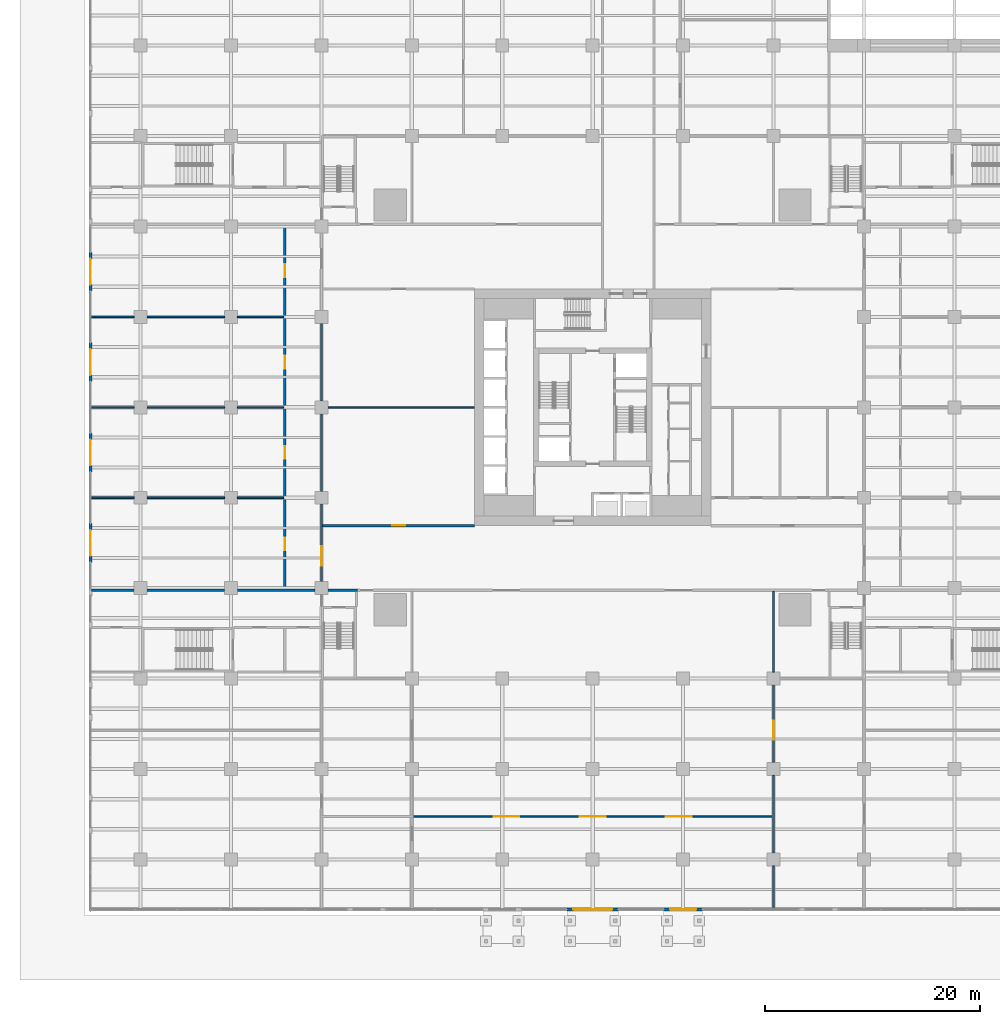
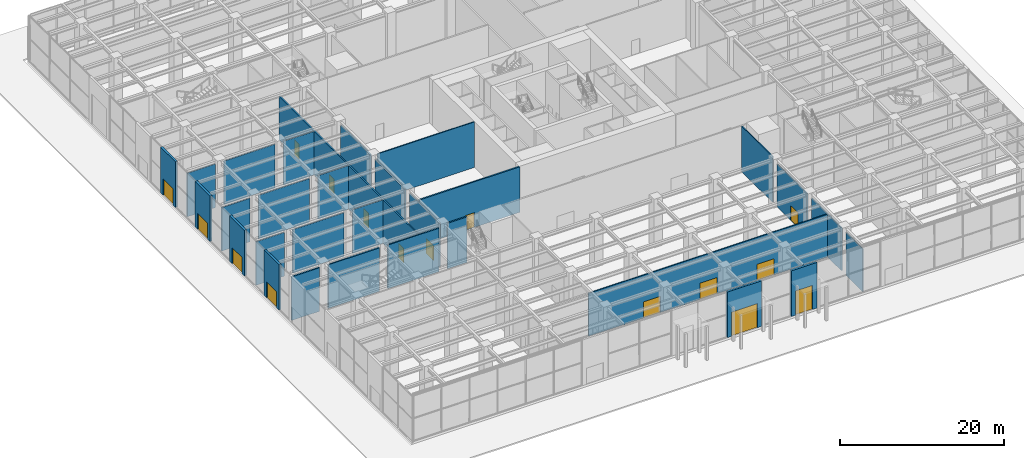
# One storey, part 29 of 43: 30 walls, 16 doors, 16 openings.
"""IFC4 building model written with IfcOpenShell, lengths in metres."""

import ifcopenshell
import ifcopenshell.guid

model = None  # the IFC model being written
_history = None  # IfcOwnerHistory: only IFC2X3 demands one
_inside = {}  # id of a spatial element -> (the spatial element, [elements in it])
_under = {}  # id of a project, library or spatial element -> (it, [spatial elements below it])
_declared = {}  # id of a project -> (the project, [libraries it declares])
_typed = {}  # id of a type object -> (the type object, [elements of that type])
_made_of = {}  # id of a material, layer set ... -> (it, [elements and type objects made of it])


def new_model(schema):
    """Start an empty IFC model of exactly this schema.

    Asked for "IFC4X3", IfcOpenShell would pick the latest addendum, in which some entities
    have other attributes; the version numbers below select the first issue.
    IFC2X3 requires an IfcOwnerHistory on every rooted entity: one is made here for all.
    """
    global model, _history
    if schema == "IFC4X3":
        model = ifcopenshell.file(schema_version=(4, 3, 0, 0))
    else:
        model = ifcopenshell.file(schema=schema)
    _inside.clear()
    _under.clear()
    _declared.clear()
    _typed.clear()
    _made_of.clear()
    _history = None
    if model.schema == "IFC2X3":
        org = make("IfcOrganization", Name="unknown")
        user = make(
            "IfcPersonAndOrganization",
            ThePerson=make("IfcPerson", FamilyName="unknown"),
            TheOrganization=org,
        )
        app = make(
            "IfcApplication",
            ApplicationDeveloper=org,
            Version="unknown",
            ApplicationFullName="unknown",
            ApplicationIdentifier="unknown",
        )
        _history = make(
            "IfcOwnerHistory",
            OwningUser=user,
            OwningApplication=app,
            ChangeAction="ADDED",
            CreationDate=0,
        )
    return model


def make(cls, **values):
    """One entity of the class cls with the attributes given. An attribute that is None is left unset."""
    return model.create_entity(
        cls, **{name: value for name, value in values.items() if value is not None}
    )


def rooted(cls, **values):
    """An entity with a GlobalId (a new one), such as an element, a storey or a relation."""
    return make(cls, GlobalId=ifcopenshell.guid.new(), OwnerHistory=_history, **values)


def si_unit(unit_type, name, prefix=None):
    """IfcSIUnit, for example si_unit("LENGTHUNIT", "METRE", prefix="MILLI")."""
    return make("IfcSIUnit", UnitType=unit_type, Prefix=prefix, Name=name)


def assignment(units):
    """IfcUnitAssignment: the units of a project."""
    return None if units is None else make("IfcUnitAssignment", Units=units)


def point(xyz):
    """IfcCartesianPoint."""
    return None if xyz is None else make("IfcCartesianPoint", Coordinates=xyz)


def direction(xyz):
    """IfcDirection."""
    return None if xyz is None else make("IfcDirection", DirectionRatios=xyz)


def frame(location, z_axis=None, x_axis=None):
    """IfcAxis2Placement3D, a coordinate frame: its origin and axes. An axis left out is left unset."""
    return make(
        "IfcAxis2Placement3D",
        Location=point(location),
        Axis=direction(z_axis),
        RefDirection=direction(x_axis),
    )


def frame_2d(location, x_axis=None):
    """IfcAxis2Placement2D, a coordinate frame in the plane: its origin and x axis."""
    return make(
        "IfcAxis2Placement2D", Location=point(location), RefDirection=direction(x_axis)
    )


def origin():
    """The frame at (0, 0, 0) with its axes left unset."""
    return frame((0.0, 0.0, 0.0))


def place(relative_to, where):
    """IfcLocalPlacement: puts the frame where relative to a parent placement (None: the world)."""
    return make(
        "IfcLocalPlacement", PlacementRelTo=relative_to, RelativePlacement=where
    )


def context(
    kind, dimensions, precision=None, world=None, true_north=None, identifier=None
):
    """IfcGeometricRepresentationContext, for example the 3D "Model" context."""
    return make(
        "IfcGeometricRepresentationContext",
        ContextIdentifier=identifier,
        ContextType=kind,
        CoordinateSpaceDimension=dimensions,
        Precision=precision,
        WorldCoordinateSystem=world,
        TrueNorth=true_north,
    )


def subcontext(parent, identifier, kind, view, scale=None):
    """IfcGeometricRepresentationSubContext, for example "Body" below "Model"."""
    return make(
        "IfcGeometricRepresentationSubContext",
        ContextIdentifier=identifier,
        ContextType=kind,
        ParentContext=parent,
        TargetScale=scale,
        TargetView=view,
    )


def project(units=None, contexts=None):
    """IfcProject with its units and contexts."""
    return rooted(
        "IfcProject",
        Name="project",
        RepresentationContexts=contexts,
        UnitsInContext=assignment(units),
    )


def spatial(cls, under=None, at=None, **own):
    """A site, building, storey or space (cls), placed at a placement, below another one or the project."""
    s = rooted(cls, ObjectPlacement=at, **own)
    if under is not None:
        _under.setdefault(under.id(), (under, []))[1].append(s)
    return s


def profile(cls, at=None, kind="AREA", **sizes):
    """A parametric profile (cls). Its sizes go by their IFC names, for example OverallWidth=200.0."""
    return make(cls, ProfileType=kind, Position=at, **sizes)


def rectangle(**sizes):
    """IfcRectangleProfileDef."""
    return profile("IfcRectangleProfileDef", **sizes)


def extrude(swept, where, along, depth):
    """IfcExtrudedAreaSolid: the profile swept, set in the frame where, extruded along a direction by depth."""
    return make(
        "IfcExtrudedAreaSolid",
        SweptArea=swept,
        Position=where,
        ExtrudedDirection=direction(along),
        Depth=depth,
    )


def shape(context_of_items, identifier, shape_type, items):
    """IfcShapeRepresentation: the items that make up one representation, for example the "Body"."""
    return make(
        "IfcShapeRepresentation",
        ContextOfItems=context_of_items,
        RepresentationIdentifier=identifier,
        RepresentationType=shape_type,
        Items=items,
    )


def material(Name=None, Category=None):
    """IfcMaterial."""
    return make("IfcMaterial", Name=Name, Category=Category)


def layer(
    of_material, thickness, ventilated=None, Name=None, Category=None, Priority=None
):
    """IfcMaterialLayer: one layer of a wall or slab, of a material (None: an air gap)."""
    return make(
        "IfcMaterialLayer",
        Material=of_material,
        LayerThickness=thickness,
        IsVentilated=ventilated,
        Name=Name,
        Category=Category,
        Priority=Priority,
    )


def layer_set(layers, Name=None):
    """IfcMaterialLayerSet."""
    return make("IfcMaterialLayerSet", MaterialLayers=layers, LayerSetName=Name)


def made_of(thing, what):
    """Note that an element or type object is made of a material, layer set ...; save() writes the relation."""
    if what is not None:
        _made_of.setdefault(what.id(), (what, []))[1].append(thing)
    return thing


def type_object(cls, material=None, **own):
    """A type object (cls), such as IfcWallType, which elements share."""
    return made_of(rooted(cls, **own), material)


def element(
    cls,
    number,
    at=None,
    inside=None,
    cuts=None,
    type_object=None,
    material=None,
    context=None,
    identifier="Body",
    shape_type=None,
    held_by="IfcProductDefinitionShape",
    body=None,
    shapes=None,
    **own,
):
    """One element of the class cls, such as IfcWall. Its Tag is "e" and its number.

    at: its placement. inside: the storey or other place that contains it. cuts: it is an
    opening in that element (IfcRelVoidsElement). A single representation is given by context,
    identifier, shape_type and body (its items); several are given by shapes. held_by: the class
    of the entity that holds the representations. save() writes the other relations.
    """
    e = rooted(cls, Tag="e%d" % number, ObjectPlacement=at, **own)
    if body is not None:
        shapes = [shape(context, identifier, shape_type, body)]
    if shapes is not None:
        e.Representation = make(held_by, Representations=shapes)
    if inside is not None:
        _inside.setdefault(inside.id(), (inside, []))[1].append(e)
    if cuts is not None:
        rooted(
            "IfcRelVoidsElement", RelatingBuildingElement=cuts, RelatedOpeningElement=e
        )
    if type_object is not None:
        _typed.setdefault(type_object.id(), (type_object, []))[1].append(e)
    return made_of(e, material)


def fill(opening, filler):
    """IfcRelFillsElement: the door or window that sits in an opening."""
    return rooted(
        "IfcRelFillsElement",
        RelatingOpeningElement=opening,
        RelatedBuildingElement=filler,
    )


def aggregate(whole, parts):
    """IfcRelAggregates: a whole, such as a stair, and the parts it consists of."""
    return rooted("IfcRelAggregates", RelatingObject=whole, RelatedObjects=parts)


def save(model, path):
    """Write the relations noted so far, then the file.

    IfcRelAggregates (storeys below a building ...), IfcRelContainedInSpatialStructure (elements
    in a storey), IfcRelDefinesByType, IfcRelAssociatesMaterial and IfcRelDeclares: one each for
    every whole, place, type object, material and project.
    """
    for whole, parts in _under.values():
        aggregate(whole, parts)
    for where, things in _inside.values():
        rooted(
            "IfcRelContainedInSpatialStructure",
            RelatedElements=things,
            RelatingStructure=where,
        )
    for kind, things in _typed.values():
        rooted("IfcRelDefinesByType", RelatedObjects=things, RelatingType=kind)
    for what, things in _made_of.values():
        rooted("IfcRelAssociatesMaterial", RelatedObjects=things, RelatingMaterial=what)
    for by, libraries in _declared.values():
        rooted("IfcRelDeclares", RelatingContext=by, RelatedDefinitions=libraries)
    model.write(path)


model = new_model("IFC4")

# Units and contexts
model_context = context("Model", 3, precision=1e-05, world=origin(), true_north=direction((0.0, 1.0)))
body_context = subcontext(model_context, "Body", "Model", "MODEL_VIEW")
ifc_project = project(units=[si_unit("LENGTHUNIT", "METRE"), si_unit("AREAUNIT", "SQUARE_METRE"), si_unit("VOLUMEUNIT", "CUBIC_METRE"), si_unit("PLANEANGLEUNIT", "RADIAN"), si_unit("MASSUNIT", "GRAM", prefix="KILO")], contexts=[model_context])

# Site, building, storey
site_placement = place(None, origin())
site = spatial("IfcSite", under=ifc_project, at=site_placement, CompositionType="ELEMENT")
building_placement = place(site_placement, origin())
building = spatial("IfcBuilding", under=site, at=building_placement, Name="Khepri Terraces", CompositionType="ELEMENT")
storey_placement = place(building_placement, origin())
storey = spatial("IfcBuildingStorey", under=building, at=storey_placement, Name="L00", CompositionType="ELEMENT", Elevation=0.0)

# Wall, opening, door
ifc_material_1 = material(Name="Precast concrete C50/60 warm stone", Category="masonry")
ifc_layer_1 = layer(ifc_material_1, 0.300048828125, Name="Precast concrete C50/60 warm stone", Category="masonry")
ifc_layer_set_1 = layer_set([ifc_layer_1], Name="Precast concrete C50/60 warm stone")
wall_type_1 = type_object("IfcWallType", Name="WL-EXT-PRECAST-300", PredefinedType="STANDARD", material=ifc_layer_set_1)
wall_1_placement = place(storey_placement, frame((-46.64990234375, 14.39990234375, 0.0), z_axis=(0.0, 0.0, 1.0), x_axis=(0.0, -1.0, 0.0)))
wall_1 = element("IfcWall", 1, at=wall_1_placement, inside=storey, type_object=wall_type_1, Name="External wall L00 W", PredefinedType="STANDARD", context=body_context, shape_type="SweptSolid", body=[
    extrude(rectangle(XDim=3.599853515625, YDim=0.300048828125, at=frame_2d((1.7998046875, 0.0))), origin(), (0.0, 0.0, 1.0), 6.780029296875),
])
opening_1_placement = place(wall_1_placement, frame((0.60009765625, 0.0, 0.0)))
opening_1 = element("IfcOpeningElement", 2, at=opening_1_placement, cuts=wall_1, Name="Opening ED-L00-19", PredefinedType="OPENING", context=body_context, shape_type="SweptSolid", body=[
    extrude(rectangle(XDim=2.39990234375, YDim=2.39990234375, at=frame_2d((1.199951171875, 1.199951171875))), frame((0.0, 0.16015625, 0.0), z_axis=(0.0, -1.0, 0.0), x_axis=(1.0, 0.0, 0.0)), (0.0, 0.0, 1.0), 0.320068359375),
])
ifc_material_2 = material(Name="Anodised aluminium bronze glazed door", Category="aluminium")
door_type_1 = type_object("IfcDoorType", Name="DR-SHOP-2400x2400", OperationType="NOTDEFINED", PredefinedType="DOOR", material=ifc_material_2)
door_1_placement = place(opening_1_placement, frame((2.39990234375, 0.0, 0.0), z_axis=(0.0, 0.0, 1.0), x_axis=(-1.0, 0.0, 0.0)))
door_1 = element("IfcDoor", 3, at=door_1_placement, inside=storey, type_object=door_type_1, Name="Retail door L00 W", OperationType="DOUBLE_DOOR_SINGLE_SWING", OverallHeight=2.39990234375, OverallWidth=2.39990234375, PredefinedType="DOOR", context=body_context, shape_type="SweptSolid", body=[
    extrude(rectangle(XDim=2.39990234375, YDim=2.39990234375, at=frame_2d((1.199951171875, 1.199951171875))), frame((0.0, 0.02490234375, 0.0), z_axis=(0.0, -1.0, 0.0), x_axis=(1.0, 0.0, 0.0)), (0.0, 0.0, 1.0), 0.050048828125),
])
fill(opening_1, door_1)

wall_2_placement = place(storey_placement, frame((-46.64990234375, 6.0, 0.0), z_axis=(0.0, 0.0, 1.0), x_axis=(0.0, -1.0, 0.0)))
wall_2 = element("IfcWall", 4, at=wall_2_placement, inside=storey, type_object=wall_type_1, Name="External wall L00 W", PredefinedType="STANDARD", context=body_context, shape_type="SweptSolid", body=[
    extrude(rectangle(XDim=3.60009765625, YDim=0.300048828125, at=frame_2d((1.800048828125, 0.0))), origin(), (0.0, 0.0, 1.0), 6.780029296875),
])
opening_2_placement = place(wall_2_placement, frame((0.60009765625, 0.0, 0.0)))
opening_2 = element("IfcOpeningElement", 5, at=opening_2_placement, cuts=wall_2, Name="Opening ED-L00-20", PredefinedType="OPENING", context=body_context, shape_type="SweptSolid", body=[
    extrude(rectangle(XDim=2.39990234375, YDim=2.39990234375, at=frame_2d((1.199951171875, 1.199951171875))), frame((0.0, 0.16015625, 0.0), z_axis=(0.0, -1.0, 0.0), x_axis=(1.0, 0.0, 0.0)), (0.0, 0.0, 1.0), 0.320068359375),
])
door_2_placement = place(opening_2_placement, frame((2.39990234375, 0.0, 0.0), z_axis=(0.0, 0.0, 1.0), x_axis=(-1.0, 0.0, 0.0)))
door_2 = element("IfcDoor", 6, at=door_2_placement, inside=storey, type_object=door_type_1, Name="Retail door L00 W", OperationType="DOUBLE_DOOR_SINGLE_SWING", OverallHeight=2.39990234375, OverallWidth=2.39990234375, PredefinedType="DOOR", context=body_context, shape_type="SweptSolid", body=[
    extrude(rectangle(XDim=2.39990234375, YDim=2.39990234375, at=frame_2d((1.199951171875, 1.199951171875))), frame((0.0, 0.02490234375, 0.0), z_axis=(0.0, -1.0, 0.0), x_axis=(1.0, 0.0, 0.0)), (0.0, 0.0, 1.0), 0.050048828125),
])
fill(opening_2, door_2)

wall_3_placement = place(storey_placement, frame((-46.64990234375, -2.39990234375, 0.0), z_axis=(0.0, 0.0, 1.0), x_axis=(0.0, -1.0, 0.0)))
wall_3 = element("IfcWall", 7, at=wall_3_placement, inside=storey, type_object=wall_type_1, Name="External wall L00 W", PredefinedType="STANDARD", context=body_context, shape_type="SweptSolid", body=[
    extrude(rectangle(XDim=3.60009765625, YDim=0.300048828125, at=frame_2d((1.800048828125, 0.0))), origin(), (0.0, 0.0, 1.0), 6.780029296875),
])
opening_3_placement = place(wall_3_placement, frame((0.60009765625, 0.0, 0.0)))
opening_3 = element("IfcOpeningElement", 8, at=opening_3_placement, cuts=wall_3, Name="Opening ED-L00-21", PredefinedType="OPENING", context=body_context, shape_type="SweptSolid", body=[
    extrude(rectangle(XDim=2.39990234375, YDim=2.39990234375, at=frame_2d((1.199951171875, 1.199951171875))), frame((0.0, 0.16015625, 0.0), z_axis=(0.0, -1.0, 0.0), x_axis=(1.0, 0.0, 0.0)), (0.0, 0.0, 1.0), 0.320068359375),
])
door_3_placement = place(opening_3_placement, frame((2.39990234375, 0.0, 0.0), z_axis=(0.0, 0.0, 1.0), x_axis=(-1.0, 0.0, 0.0)))
door_3 = element("IfcDoor", 9, at=door_3_placement, inside=storey, type_object=door_type_1, Name="Retail door L00 W", OperationType="DOUBLE_DOOR_SINGLE_SWING", OverallHeight=2.39990234375, OverallWidth=2.39990234375, PredefinedType="DOOR", context=body_context, shape_type="SweptSolid", body=[
    extrude(rectangle(XDim=2.39990234375, YDim=2.39990234375, at=frame_2d((1.199951171875, 1.199951171875))), frame((0.0, 0.02490234375, 0.0), z_axis=(0.0, -1.0, 0.0), x_axis=(1.0, 0.0, 0.0)), (0.0, 0.0, 1.0), 0.050048828125),
])
fill(opening_3, door_3)

wall_4_placement = place(storey_placement, frame((-46.64990234375, -10.800048828125, 0.0), z_axis=(0.0, 0.0, 1.0), x_axis=(0.0, -1.0, 0.0)))
wall_4 = element("IfcWall", 10, at=wall_4_placement, inside=storey, type_object=wall_type_1, Name="External wall L00 W", PredefinedType="STANDARD", context=body_context, shape_type="SweptSolid", body=[
    extrude(rectangle(XDim=3.599853515625, YDim=0.300048828125, at=frame_2d((1.7998046875, 0.0))), origin(), (0.0, 0.0, 1.0), 6.780029296875),
])
opening_4_placement = place(wall_4_placement, frame((0.60009765625, 0.0, 0.0)))
opening_4 = element("IfcOpeningElement", 11, at=opening_4_placement, cuts=wall_4, Name="Opening ED-L00-22", PredefinedType="OPENING", context=body_context, shape_type="SweptSolid", body=[
    extrude(rectangle(XDim=2.39990234375, YDim=2.39990234375, at=frame_2d((1.199951171875, 1.199951171875))), frame((0.0, 0.16015625, 0.0), z_axis=(0.0, -1.0, 0.0), x_axis=(1.0, 0.0, 0.0)), (0.0, 0.0, 1.0), 0.320068359375),
])
door_4_placement = place(opening_4_placement, frame((2.39990234375, 0.0, 0.0), z_axis=(0.0, 0.0, 1.0), x_axis=(-1.0, 0.0, 0.0)))
door_4 = element("IfcDoor", 12, at=door_4_placement, inside=storey, type_object=door_type_1, Name="Retail door L00 W", OperationType="DOUBLE_DOOR_SINGLE_SWING", OverallHeight=2.39990234375, OverallWidth=2.39990234375, PredefinedType="DOOR", context=body_context, shape_type="SweptSolid", body=[
    extrude(rectangle(XDim=2.39990234375, YDim=2.39990234375, at=frame_2d((1.199951171875, 1.199951171875))), frame((0.0, 0.02490234375, 0.0), z_axis=(0.0, -1.0, 0.0), x_axis=(1.0, 0.0, 0.0)), (0.0, 0.0, 1.0), 0.050048828125),
])
fill(opening_4, door_4)

wall_5_placement = place(storey_placement, frame((-2.39990234375, -46.64990234375, 0.0), z_axis=(0.0, 0.0, 1.0), x_axis=(1.0, 0.0, 0.0)))
wall_5 = element("IfcWall", 13, at=wall_5_placement, inside=storey, type_object=wall_type_1, Name="External wall L00 S", PredefinedType="STANDARD", context=body_context, shape_type="SweptSolid", body=[
    extrude(rectangle(XDim=4.7998046875, YDim=0.300048828125, at=frame_2d((2.39990234375, 0.0))), origin(), (0.0, 0.0, 1.0), 6.780029296875),
])
opening_5_placement = place(wall_5_placement, frame((0.60009765625, 0.0, 0.0)))
opening_5 = element("IfcOpeningElement", 14, at=opening_5_placement, cuts=wall_5, Name="Opening ED-L00-28", PredefinedType="OPENING", context=body_context, shape_type="SweptSolid", body=[
    extrude(rectangle(XDim=3.60009765625, YDim=3.60009765625, at=frame_2d((1.800048828125, 1.800048828125))), frame((0.0, 0.16015625, 0.0), z_axis=(0.0, -1.0, 0.0), x_axis=(1.0, 0.0, 0.0)), (0.0, 0.0, 1.0), 0.320068359375),
])
door_type_2 = type_object("IfcDoorType", Name="DR-MAIN-3600x3600", OperationType="NOTDEFINED", PredefinedType="DOOR", material=ifc_material_2)
door_5_placement = place(opening_5_placement, frame((3.60009765625, 0.0, 0.0), z_axis=(0.0, 0.0, 1.0), x_axis=(-1.0, 0.0, 0.0)))
door_5 = element("IfcDoor", 15, at=door_5_placement, inside=storey, type_object=door_type_2, Name="Main door L00 S", OperationType="DOUBLE_DOOR_SINGLE_SWING", OverallHeight=3.60009765625, OverallWidth=3.60009765625, PredefinedType="DOOR", context=body_context, shape_type="SweptSolid", body=[
    extrude(rectangle(XDim=3.60009765625, YDim=3.60009765625, at=frame_2d((1.800048828125, 1.800048828125))), frame((0.0, 0.02490234375, 0.0), z_axis=(0.0, -1.0, 0.0), x_axis=(1.0, 0.0, 0.0)), (0.0, 0.0, 1.0), 0.050048828125),
])
fill(opening_5, door_5)

wall_6_placement = place(storey_placement, frame((6.60009765625, -46.64990234375, 0.0), z_axis=(0.0, 0.0, 1.0), x_axis=(1.0, 0.0, 0.0)))
wall_6 = element("IfcWall", 16, at=wall_6_placement, inside=storey, type_object=wall_type_1, Name="External wall L00 S", PredefinedType="STANDARD", context=body_context, shape_type="SweptSolid", body=[
    extrude(rectangle(XDim=3.599853515625, YDim=0.300048828125, at=frame_2d((1.7998046875, 0.0))), origin(), (0.0, 0.0, 1.0), 6.780029296875),
])
opening_6_placement = place(wall_6_placement, frame((0.60009765625, 0.0, 0.0)))
opening_6 = element("IfcOpeningElement", 17, at=opening_6_placement, cuts=wall_6, Name="Opening ED-L00-29", PredefinedType="OPENING", context=body_context, shape_type="SweptSolid", body=[
    extrude(rectangle(XDim=2.39990234375, YDim=3.60009765625, at=frame_2d((1.199951171875, 1.800048828125))), frame((0.0, 0.16015625, 0.0), z_axis=(0.0, -1.0, 0.0), x_axis=(1.0, 0.0, 0.0)), (0.0, 0.0, 1.0), 0.320068359375),
])
door_type_3 = type_object("IfcDoorType", Name="DR-MAIN-2400x3600", OperationType="NOTDEFINED", PredefinedType="DOOR", material=ifc_material_2)
door_6_placement = place(opening_6_placement, frame((2.39990234375, 0.0, 0.0), z_axis=(0.0, 0.0, 1.0), x_axis=(-1.0, 0.0, 0.0)))
door_6 = element("IfcDoor", 18, at=door_6_placement, inside=storey, type_object=door_type_3, Name="Main door L00 S", OperationType="DOUBLE_DOOR_SINGLE_SWING", OverallHeight=3.60009765625, OverallWidth=2.39990234375, PredefinedType="DOOR", context=body_context, shape_type="SweptSolid", body=[
    extrude(rectangle(XDim=2.39990234375, YDim=3.60009765625, at=frame_2d((1.199951171875, 1.800048828125))), frame((0.0, 0.02490234375, 0.0), z_axis=(0.0, -1.0, 0.0), x_axis=(1.0, 0.0, 0.0)), (0.0, 0.0, 1.0), 0.050048828125),
])
fill(opening_6, door_6)

# Wall, openings, doors
ifc_material_3 = material(Name="Gypsum board partition")
ifc_layer_2 = layer(ifc_material_3, 0.14990234375, Name="Gypsum board partition")
ifc_layer_set_2 = layer_set([ifc_layer_2], Name="Gypsum board partition")
wall_type_2 = type_object("IfcWallType", Name="WL-POD-150", PredefinedType="PARTITIONING", material=ifc_layer_set_2)
wall_7_placement = place(storey_placement, frame((-16.89990234375, -38.0, 0.0), z_axis=(0.0, 0.0, 1.0), x_axis=(1.0, 0.0, 0.0)))
wall_7 = element("IfcWall", 19, at=wall_7_placement, inside=storey, type_object=wall_type_2, Name="Partition L00-PW002", PredefinedType="PARTITIONING", context=body_context, shape_type="SweptSolid", body=[
    extrude(rectangle(XDim=33.625, YDim=0.14990234375, at=frame_2d((16.8125, 0.0))), origin(), (0.0, 0.0, 1.0), 6.3798828125),
])
opening_7_placement = place(wall_7_placement, frame((7.699951171875, 0.0, 0.0)))
opening_7 = element("IfcOpeningElement", 20, at=opening_7_placement, cuts=wall_7, Name="Opening L00-P02", PredefinedType="OPENING", context=body_context, shape_type="SweptSolid", body=[
    extrude(rectangle(XDim=2.39990234375, YDim=2.39990234375, at=frame_2d((1.199951171875, 1.199951171875))), frame((0.0, 0.0849609375, 0.0), z_axis=(0.0, -1.0, 0.0), x_axis=(1.0, 0.0, 0.0)), (0.0, 0.0, 1.0), 0.169921875),
])
opening_8_placement = place(wall_7_placement, frame((15.699951171875, 0.0, 0.0)))
opening_8 = element("IfcOpeningElement", 21, at=opening_8_placement, cuts=wall_7, Name="Opening L00-P03", PredefinedType="OPENING", context=body_context, shape_type="SweptSolid", body=[
    extrude(rectangle(XDim=2.39990234375, YDim=2.39990234375, at=frame_2d((1.199951171875, 1.199951171875))), frame((0.0, 0.0849609375, 0.0), z_axis=(0.0, -1.0, 0.0), x_axis=(1.0, 0.0, 0.0)), (0.0, 0.0, 1.0), 0.169921875),
])
opening_9_placement = place(wall_7_placement, frame((23.699951171875, 0.0, 0.0)))
opening_9 = element("IfcOpeningElement", 22, at=opening_9_placement, cuts=wall_7, Name="Opening L00-P04", PredefinedType="OPENING", context=body_context, shape_type="SweptSolid", body=[
    extrude(rectangle(XDim=2.39990234375, YDim=2.39990234375, at=frame_2d((1.199951171875, 1.199951171875))), frame((0.0, 0.0849609375, 0.0), z_axis=(0.0, -1.0, 0.0), x_axis=(1.0, 0.0, 0.0)), (0.0, 0.0, 1.0), 0.169921875),
])
ifc_material_4 = material(Name="Timber veneer", Category="wood")
door_type_4 = type_object("IfcDoorType", Name="DR-POD-PAIR-2400", OperationType="DOUBLE_DOOR_SINGLE_SWING", PredefinedType="DOOR", material=ifc_material_4)
door_7_placement = place(opening_7_placement, origin())
door_7 = element("IfcDoor", 23, at=door_7_placement, inside=storey, type_object=door_type_4, Name="Double door L00-P02", OperationType="DOUBLE_DOOR_SINGLE_SWING", OverallHeight=2.39990234375, OverallWidth=2.39990234375, PredefinedType="DOOR", context=body_context, shape_type="SweptSolid", body=[
    extrude(rectangle(XDim=2.39990234375, YDim=2.39990234375, at=frame_2d((1.199951171875, 1.199951171875))), frame((0.0, 0.02490234375, 0.0), z_axis=(0.0, -1.0, 0.0), x_axis=(1.0, 0.0, 0.0)), (0.0, 0.0, 1.0), 0.050048828125),
])
fill(opening_7, door_7)
door_8_placement = place(opening_8_placement, origin())
door_8 = element("IfcDoor", 24, at=door_8_placement, inside=storey, type_object=door_type_4, Name="Double door L00-P03", OperationType="DOUBLE_DOOR_SINGLE_SWING", OverallHeight=2.39990234375, OverallWidth=2.39990234375, PredefinedType="DOOR", context=body_context, shape_type="SweptSolid", body=[
    extrude(rectangle(XDim=2.39990234375, YDim=2.39990234375, at=frame_2d((1.199951171875, 1.199951171875))), frame((0.0, 0.02490234375, 0.0), z_axis=(0.0, -1.0, 0.0), x_axis=(1.0, 0.0, 0.0)), (0.0, 0.0, 1.0), 0.050048828125),
])
fill(opening_8, door_8)
door_9_placement = place(opening_9_placement, origin())
door_9 = element("IfcDoor", 25, at=door_9_placement, inside=storey, type_object=door_type_4, Name="Double door L00-P04", OperationType="DOUBLE_DOOR_SINGLE_SWING", OverallHeight=2.39990234375, OverallWidth=2.39990234375, PredefinedType="DOOR", context=body_context, shape_type="SweptSolid", body=[
    extrude(rectangle(XDim=2.39990234375, YDim=2.39990234375, at=frame_2d((1.199951171875, 1.199951171875))), frame((0.0, 0.02490234375, 0.0), z_axis=(0.0, -1.0, 0.0), x_axis=(1.0, 0.0, 0.0)), (0.0, 0.0, 1.0), 0.050048828125),
])
fill(opening_9, door_9)

# Walls
wall_8_placement = place(storey_placement, frame((-46.550048828125, -8.39990234375, 0.0), z_axis=(0.0, 0.0, 1.0), x_axis=(1.0, 0.0, 0.0)))
element("IfcWall", 26, at=wall_8_placement, inside=storey, type_object=wall_type_2, Name="Partition L00-PW030", PredefinedType="PARTITIONING", context=body_context, shape_type="SweptSolid", body=[
    extrude(rectangle(XDim=3.949951171875, YDim=0.14990234375, at=frame_2d((1.97509765625, 0.0))), origin(), (0.0, 0.0, 1.0), 6.47998046875),
])
wall_9_placement = place(storey_placement, frame((-41.39990234375, -8.39990234375, 0.0), z_axis=(0.0, 0.0, 1.0), x_axis=(1.0, 0.0, 0.0)))
element("IfcWall", 27, at=wall_9_placement, inside=storey, type_object=wall_type_2, Name="Partition L00-PW031", PredefinedType="PARTITIONING", context=body_context, shape_type="SweptSolid", body=[
    extrude(rectangle(XDim=7.199951171875, YDim=0.14990234375, at=frame_2d((3.60009765625, 0.0))), origin(), (0.0, 0.0, 1.0), 6.47998046875),
])
wall_10_placement = place(storey_placement, frame((-33.0, -8.39990234375, 0.0), z_axis=(0.0, 0.0, 1.0), x_axis=(1.0, 0.0, 0.0)))
element("IfcWall", 28, at=wall_10_placement, inside=storey, type_object=wall_type_2, Name="Partition L00-PW032", PredefinedType="PARTITIONING", context=body_context, shape_type="SweptSolid", body=[
    extrude(rectangle(XDim=4.300048828125, YDim=0.14990234375, at=frame_2d((2.14990234375, 0.0))), origin(), (0.0, 0.0, 1.0), 6.47998046875),
])
wall_11_placement = place(storey_placement, frame((-46.550048828125, 0.0, 0.0), z_axis=(0.0, 0.0, 1.0), x_axis=(1.0, 0.0, 0.0)))
element("IfcWall", 29, at=wall_11_placement, inside=storey, type_object=wall_type_2, Name="Partition L00-PW037", PredefinedType="PARTITIONING", context=body_context, shape_type="SweptSolid", body=[
    extrude(rectangle(XDim=3.949951171875, YDim=0.14990234375, at=frame_2d((1.97509765625, 0.0))), origin(), (0.0, 0.0, 1.0), 6.47998046875),
])
wall_12_placement = place(storey_placement, frame((-41.39990234375, 0.0, 0.0), z_axis=(0.0, 0.0, 1.0), x_axis=(1.0, 0.0, 0.0)))
element("IfcWall", 30, at=wall_12_placement, inside=storey, type_object=wall_type_2, Name="Partition L00-PW038", PredefinedType="PARTITIONING", context=body_context, shape_type="SweptSolid", body=[
    extrude(rectangle(XDim=7.199951171875, YDim=0.14990234375, at=frame_2d((3.60009765625, 0.0))), origin(), (0.0, 0.0, 1.0), 6.47998046875),
])
wall_13_placement = place(storey_placement, frame((-33.0, 0.0, 0.0), z_axis=(0.0, 0.0, 1.0), x_axis=(1.0, 0.0, 0.0)))
element("IfcWall", 31, at=wall_13_placement, inside=storey, type_object=wall_type_2, Name="Partition L00-PW039", PredefinedType="PARTITIONING", context=body_context, shape_type="SweptSolid", body=[
    extrude(rectangle(XDim=4.300048828125, YDim=0.14990234375, at=frame_2d((2.14990234375, 0.0))), origin(), (0.0, 0.0, 1.0), 6.47998046875),
])
wall_14_placement = place(storey_placement, frame((-24.60009765625, 0.0, 0.0), z_axis=(0.0, 0.0, 1.0), x_axis=(1.0, 0.0, 0.0)))
element("IfcWall", 32, at=wall_14_placement, inside=storey, type_object=wall_type_2, Name="Partition L00-PW040", PredefinedType="PARTITIONING", context=body_context, shape_type="SweptSolid", body=[
    extrude(rectangle(XDim=13.60009765625, YDim=0.14990234375, at=frame_2d((6.800048828125, 0.0))), origin(), (0.0, 0.0, 1.0), 6.780029296875),
])
wall_15_placement = place(storey_placement, frame((-46.550048828125, 8.39990234375, 0.0), z_axis=(0.0, 0.0, 1.0), x_axis=(1.0, 0.0, 0.0)))
element("IfcWall", 33, at=wall_15_placement, inside=storey, type_object=wall_type_2, Name="Partition L00-PW045", PredefinedType="PARTITIONING", context=body_context, shape_type="SweptSolid", body=[
    extrude(rectangle(XDim=3.949951171875, YDim=0.14990234375, at=frame_2d((1.97509765625, 0.0))), origin(), (0.0, 0.0, 1.0), 6.47998046875),
])
wall_16_placement = place(storey_placement, frame((-41.39990234375, 8.39990234375, 0.0), z_axis=(0.0, 0.0, 1.0), x_axis=(1.0, 0.0, 0.0)))
element("IfcWall", 34, at=wall_16_placement, inside=storey, type_object=wall_type_2, Name="Partition L00-PW046", PredefinedType="PARTITIONING", context=body_context, shape_type="SweptSolid", body=[
    extrude(rectangle(XDim=7.199951171875, YDim=0.14990234375, at=frame_2d((3.60009765625, 0.0))), origin(), (0.0, 0.0, 1.0), 6.47998046875),
])
wall_17_placement = place(storey_placement, frame((-33.0, 8.39990234375, 0.0), z_axis=(0.0, 0.0, 1.0), x_axis=(1.0, 0.0, 0.0)))
element("IfcWall", 35, at=wall_17_placement, inside=storey, type_object=wall_type_2, Name="Partition L00-PW047", PredefinedType="PARTITIONING", context=body_context, shape_type="SweptSolid", body=[
    extrude(rectangle(XDim=4.300048828125, YDim=0.14990234375, at=frame_2d((2.14990234375, 0.0))), origin(), (0.0, 0.0, 1.0), 6.47998046875),
])
wall_18_placement = place(storey_placement, frame((16.800048828125, -46.550048828125, 0.0), z_axis=(0.0, 0.0, 1.0), x_axis=(0.0, 1.0, 0.0)))
element("IfcWall", 36, at=wall_18_placement, inside=storey, type_object=wall_type_2, Name="Partition L00-PW119", PredefinedType="PARTITIONING", context=body_context, shape_type="SweptSolid", body=[
    extrude(rectangle(XDim=3.949951171875, YDim=0.14990234375, at=frame_2d((1.97509765625, 0.0))), origin(), (0.0, 0.0, 1.0), 6.3798828125),
])
wall_19_placement = place(storey_placement, frame((16.800048828125, -41.39990234375, 0.0), z_axis=(0.0, 0.0, 1.0), x_axis=(0.0, 1.0, 0.0)))
element("IfcWall", 37, at=wall_19_placement, inside=storey, type_object=wall_type_2, Name="Partition L00-PW120", PredefinedType="PARTITIONING", context=body_context, shape_type="SweptSolid", body=[
    extrude(rectangle(XDim=7.199951171875, YDim=0.14990234375, at=frame_2d((3.60009765625, 0.0))), origin(), (0.0, 0.0, 1.0), 6.3798828125),
])

# Wall, opening, door
wall_20_placement = place(storey_placement, frame((16.800048828125, -33.0, 0.0), z_axis=(0.0, 0.0, 1.0), x_axis=(0.0, 1.0, 0.0)))
wall_20 = element("IfcWall", 38, at=wall_20_placement, inside=storey, type_object=wall_type_2, Name="Partition L00-PW121", PredefinedType="PARTITIONING", context=body_context, shape_type="SweptSolid", body=[
    extrude(rectangle(XDim=7.199951171875, YDim=0.14990234375, at=frame_2d((3.60009765625, 0.0))), origin(), (0.0, 0.0, 1.0), 6.3798828125),
])
opening_10_placement = place(wall_20_placement, frame((2.10009765625, 0.0, 0.0)))
opening_10 = element("IfcOpeningElement", 39, at=opening_10_placement, cuts=wall_20, Name="Opening L00-P08", PredefinedType="OPENING", context=body_context, shape_type="SweptSolid", body=[
    extrude(rectangle(XDim=1.800048828125, YDim=2.199951171875, at=frame_2d((0.89990234375, 1.10009765625))), frame((0.0, 0.0849609375, 0.0), z_axis=(0.0, -1.0, 0.0), x_axis=(1.0, 0.0, 0.0)), (0.0, 0.0, 1.0), 0.169921875),
])
ifc_material_5 = material(Name="Glazed aluminium", Category="aluminium")
door_type_5 = type_object("IfcDoorType", Name="DR-POD-PAIR-1800", OperationType="DOUBLE_DOOR_SINGLE_SWING", PredefinedType="DOOR", material=ifc_material_5)
door_10_placement = place(opening_10_placement, origin())
door_10 = element("IfcDoor", 40, at=door_10_placement, inside=storey, type_object=door_type_5, Name="Double door L00-P08", OperationType="DOUBLE_DOOR_SINGLE_SWING", OverallHeight=2.199951171875, OverallWidth=1.800048828125, PredefinedType="DOOR", context=body_context, shape_type="SweptSolid", body=[
    extrude(rectangle(XDim=1.800048828125, YDim=2.199951171875, at=frame_2d((0.89990234375, 1.10009765625))), frame((0.0, 0.02490234375, 0.0), z_axis=(0.0, -1.0, 0.0), x_axis=(1.0, 0.0, 0.0)), (0.0, 0.0, 1.0), 0.050048828125),
])
fill(opening_10, door_10)

# Walls
wall_21_placement = place(storey_placement, frame((16.800048828125, -24.60009765625, 0.0), z_axis=(0.0, 0.0, 1.0), x_axis=(0.0, 1.0, 0.0)))
element("IfcWall", 41, at=wall_21_placement, inside=storey, type_object=wall_type_2, Name="Partition L00-PW122", PredefinedType="PARTITIONING", context=body_context, shape_type="SweptSolid", body=[
    extrude(rectangle(XDim=7.5, YDim=0.14990234375, at=frame_2d((3.75, 0.0))), origin(), (0.0, 0.0, 1.0), 6.780029296875),
])
ifc_material_6 = material(Name="Fire-rated block wall")
ifc_layer_3 = layer(ifc_material_6, 0.199951171875, Name="Fire-rated block wall")
ifc_layer_set_3 = layer_set([ifc_layer_3], Name="Fire-rated block wall")
wall_type_3 = type_object("IfcWallType", Name="WL-POD-200-EI120", PredefinedType="PARTITIONING", material=ifc_layer_set_3)
wall_22_placement = place(storey_placement, frame((-46.550048828125, -17.0, 0.0), z_axis=(0.0, 0.0, 1.0), x_axis=(1.0, 0.0, 0.0)))
element("IfcWall", 42, at=wall_22_placement, inside=storey, type_object=wall_type_3, Name="Partition L00-PW019", PredefinedType="PARTITIONING", context=body_context, shape_type="SweptSolid", body=[
    extrude(rectangle(XDim=3.949951171875, YDim=0.199951171875, at=frame_2d((1.97509765625, 0.0))), origin(), (0.0, 0.0, 1.0), 6.47998046875),
])
for number, where, z_axis, x_axis, name in (
    (43, (-41.39990234375, -17.0, 0.0), (0.0, 0.0, 1.0), (1.0, 0.0, 0.0), "Partition L00-PW020"),
    (44, (-33.0, -17.0, 0.0), (0.0, 0.0, 1.0), (1.0, 0.0, 0.0), "Partition L00-PW021"),
):
    element("IfcWall", number, at=place(storey_placement, frame(where, z_axis=z_axis, x_axis=x_axis)), inside=storey, type_object=wall_type_3, Name=name, PredefinedType="PARTITIONING", context=body_context, shape_type="SweptSolid", body=[
        extrude(rectangle(XDim=7.199951171875, YDim=0.199951171875, at=frame_2d((3.60009765625, 0.0))), origin(), (0.0, 0.0, 1.0), 6.47998046875),
    ])
wall_23_placement = place(storey_placement, frame((-24.60009765625, -17.0, 0.0), z_axis=(0.0, 0.0, 1.0), x_axis=(1.0, 0.0, 0.0)))
element("IfcWall", 45, at=wall_23_placement, inside=storey, type_object=wall_type_3, Name="Partition L00-PW022", PredefinedType="PARTITIONING", context=body_context, shape_type="SweptSolid", body=[
    extrude(rectangle(XDim=2.75, YDim=0.199951171875, at=frame_2d((1.375, 0.0))), origin(), (0.0, 0.0, 1.0), 6.780029296875),
])

# Wall, opening, door
ifc_layer_4 = layer(ifc_material_6, 0.199951171875, Name="Fire-rated block wall")
ifc_layer_set_4 = layer_set([ifc_layer_4], Name="Fire-rated block wall")
wall_type_4 = type_object("IfcWallType", Name="WL-POD-200-EI60", PredefinedType="PARTITIONING", material=ifc_layer_set_4)
wall_24_placement = place(storey_placement, frame((-25.10009765625, -11.0, 0.0), z_axis=(0.0, 0.0, 1.0), x_axis=(1.0, 0.0, 0.0)))
wall_24 = element("IfcWall", 46, at=wall_24_placement, inside=storey, type_object=wall_type_4, Name="Partition L00-PW028", PredefinedType="PARTITIONING", context=body_context, shape_type="SweptSolid", body=[
    extrude(rectangle(XDim=14.10009765625, YDim=0.199951171875, at=frame_2d((7.050048828125, 0.0))), origin(), (0.0, 0.0, 1.0), 6.780029296875),
])
opening_11_placement = place(wall_24_placement, frame((6.5, 0.0, 0.0)))
opening_11 = element("IfcOpeningElement", 47, at=opening_11_placement, cuts=wall_24, Name="Opening L00-P25", PredefinedType="OPENING", context=body_context, shape_type="SweptSolid", body=[
    extrude(rectangle(XDim=1.199951171875, YDim=2.199951171875, at=frame_2d((0.60009765625, 1.10009765625))), frame((0.0, 0.10986328125, 0.0), z_axis=(0.0, -1.0, 0.0), x_axis=(1.0, 0.0, 0.0)), (0.0, 0.0, 1.0), 0.219970703125),
])
door_type_6 = type_object("IfcDoorType", Name="DR-POD-SINGLE-1200", OperationType="NOTDEFINED", PredefinedType="DOOR", material=ifc_material_4)
door_11_placement = place(opening_11_placement, origin())
door_11 = element("IfcDoor", 48, at=door_11_placement, inside=storey, type_object=door_type_6, Name="Door L00-P25", OperationType="SINGLE_SWING_RIGHT", OverallHeight=2.199951171875, OverallWidth=1.199951171875, PredefinedType="DOOR", context=body_context, shape_type="SweptSolid", body=[
    extrude(rectangle(XDim=1.199951171875, YDim=2.199951171875, at=frame_2d((0.60009765625, 1.10009765625))), frame((0.0, 0.02490234375, 0.0), z_axis=(0.0, -1.0, 0.0), x_axis=(1.0, 0.0, 0.0)), (0.0, 0.0, 1.0), 0.050048828125),
])
fill(opening_11, door_11)

# Wall, openings, doors
wall_25_placement = place(storey_placement, frame((-28.60009765625, -16.89990234375, 0.0), z_axis=(0.0, 0.0, 1.0), x_axis=(0.0, 1.0, 0.0)))
wall_25 = element("IfcWall", 49, at=wall_25_placement, inside=storey, type_object=wall_type_4, Name="Partition L00-PW091", PredefinedType="PARTITIONING", context=body_context, shape_type="SweptSolid", body=[
    extrude(rectangle(XDim=33.7998046875, YDim=0.199951171875, at=frame_2d((16.89990234375, 0.0))), origin(), (0.0, 0.0, 1.0), 6.47998046875),
])
opening_12_placement = place(wall_25_placement, frame((3.60009765625, 0.0, 0.0)))
opening_12 = element("IfcOpeningElement", 50, at=opening_12_placement, cuts=wall_25, Name="Opening L00-P23", PredefinedType="OPENING", context=body_context, shape_type="SweptSolid", body=[
    extrude(rectangle(XDim=1.199951171875, YDim=2.199951171875, at=frame_2d((0.60009765625, 1.10009765625))), frame((0.0, 0.10986328125, 0.0), z_axis=(0.0, -1.0, 0.0), x_axis=(1.0, 0.0, 0.0)), (0.0, 0.0, 1.0), 0.219970703125),
])
opening_13_placement = place(wall_25_placement, frame((12.10009765625, 0.0, 0.0)))
opening_13 = element("IfcOpeningElement", 51, at=opening_13_placement, cuts=wall_25, Name="Opening L00-P31", PredefinedType="OPENING", context=body_context, shape_type="SweptSolid", body=[
    extrude(rectangle(XDim=1.199951171875, YDim=2.199951171875, at=frame_2d((0.60009765625, 1.10009765625))), frame((0.0, 0.10986328125, 0.0), z_axis=(0.0, -1.0, 0.0), x_axis=(1.0, 0.0, 0.0)), (0.0, 0.0, 1.0), 0.219970703125),
])
opening_14_placement = place(wall_25_placement, frame((20.5, 0.0, 0.0)))
opening_14 = element("IfcOpeningElement", 52, at=opening_14_placement, cuts=wall_25, Name="Opening L00-P33", PredefinedType="OPENING", context=body_context, shape_type="SweptSolid", body=[
    extrude(rectangle(XDim=1.199951171875, YDim=2.199951171875, at=frame_2d((0.60009765625, 1.10009765625))), frame((0.0, 0.10986328125, 0.0), z_axis=(0.0, -1.0, 0.0), x_axis=(1.0, 0.0, 0.0)), (0.0, 0.0, 1.0), 0.219970703125),
])
opening_15_placement = place(wall_25_placement, frame((29.0, 0.0, 0.0)))
opening_15 = element("IfcOpeningElement", 53, at=opening_15_placement, cuts=wall_25, Name="Opening L00-P37", PredefinedType="OPENING", context=body_context, shape_type="SweptSolid", body=[
    extrude(rectangle(XDim=1.199951171875, YDim=2.199951171875, at=frame_2d((0.60009765625, 1.10009765625))), frame((0.0, 0.10986328125, 0.0), z_axis=(0.0, -1.0, 0.0), x_axis=(1.0, 0.0, 0.0)), (0.0, 0.0, 1.0), 0.219970703125),
])
door_12_placement = place(opening_12_placement, origin())
door_12 = element("IfcDoor", 54, at=door_12_placement, inside=storey, type_object=door_type_6, Name="Door L00-P23", OperationType="SINGLE_SWING_LEFT", OverallHeight=2.199951171875, OverallWidth=1.199951171875, PredefinedType="DOOR", context=body_context, shape_type="SweptSolid", body=[
    extrude(rectangle(XDim=1.199951171875, YDim=2.199951171875, at=frame_2d((0.60009765625, 1.10009765625))), frame((0.0, 0.02490234375, 0.0), z_axis=(0.0, -1.0, 0.0), x_axis=(1.0, 0.0, 0.0)), (0.0, 0.0, 1.0), 0.050048828125),
])
fill(opening_12, door_12)
door_13_placement = place(opening_13_placement, origin())
door_13 = element("IfcDoor", 55, at=door_13_placement, inside=storey, type_object=door_type_6, Name="Door L00-P31", OperationType="SINGLE_SWING_LEFT", OverallHeight=2.199951171875, OverallWidth=1.199951171875, PredefinedType="DOOR", context=body_context, shape_type="SweptSolid", body=[
    extrude(rectangle(XDim=1.199951171875, YDim=2.199951171875, at=frame_2d((0.60009765625, 1.10009765625))), frame((0.0, 0.02490234375, 0.0), z_axis=(0.0, -1.0, 0.0), x_axis=(1.0, 0.0, 0.0)), (0.0, 0.0, 1.0), 0.050048828125),
])
fill(opening_13, door_13)
door_14_placement = place(opening_14_placement, origin())
door_14 = element("IfcDoor", 56, at=door_14_placement, inside=storey, type_object=door_type_6, Name="Door L00-P33", OperationType="SINGLE_SWING_RIGHT", OverallHeight=2.199951171875, OverallWidth=1.199951171875, PredefinedType="DOOR", context=body_context, shape_type="SweptSolid", body=[
    extrude(rectangle(XDim=1.199951171875, YDim=2.199951171875, at=frame_2d((0.60009765625, 1.10009765625))), frame((0.0, 0.02490234375, 0.0), z_axis=(0.0, -1.0, 0.0), x_axis=(1.0, 0.0, 0.0)), (0.0, 0.0, 1.0), 0.050048828125),
])
fill(opening_14, door_14)
door_15_placement = place(opening_15_placement, origin())
door_15 = element("IfcDoor", 57, at=door_15_placement, inside=storey, type_object=door_type_6, Name="Door L00-P37", OperationType="SINGLE_SWING_RIGHT", OverallHeight=2.199951171875, OverallWidth=1.199951171875, PredefinedType="DOOR", context=body_context, shape_type="SweptSolid", body=[
    extrude(rectangle(XDim=1.199951171875, YDim=2.199951171875, at=frame_2d((0.60009765625, 1.10009765625))), frame((0.0, 0.02490234375, 0.0), z_axis=(0.0, -1.0, 0.0), x_axis=(1.0, 0.0, 0.0)), (0.0, 0.0, 1.0), 0.050048828125),
])
fill(opening_15, door_15)

# Wall, opening, door
wall_26_placement = place(storey_placement, frame((-25.199951171875, -16.199951171875, 0.0), z_axis=(0.0, 0.0, 1.0), x_axis=(0.0, 1.0, 0.0)))
wall_26 = element("IfcWall", 58, at=wall_26_placement, inside=storey, type_object=wall_type_4, Name="Partition L00-PW098", PredefinedType="PARTITIONING", context=body_context, shape_type="SweptSolid", body=[
    extrude(rectangle(XDim=7.199951171875, YDim=0.199951171875, at=frame_2d((3.60009765625, 0.0))), origin(), (0.0, 0.0, 1.0), 6.47998046875),
])
opening_16_placement = place(wall_26_placement, frame((1.5, 0.0, 0.0)))
opening_16 = element("IfcOpeningElement", 59, at=opening_16_placement, cuts=wall_26, Name="Opening L00-P21", PredefinedType="OPENING", context=body_context, shape_type="SweptSolid", body=[
    extrude(rectangle(XDim=1.800048828125, YDim=2.199951171875, at=frame_2d((0.89990234375, 1.10009765625))), frame((0.0, 0.10986328125, 0.0), z_axis=(0.0, -1.0, 0.0), x_axis=(1.0, 0.0, 0.0)), (0.0, 0.0, 1.0), 0.219970703125),
])
ifc_material_7 = material(Name="Painted steel", Category="steel")
door_type_7 = type_object("IfcDoorType", Name="DR-POD-FIRE-PAIR-1800", OperationType="DOUBLE_DOOR_SINGLE_SWING", PredefinedType="DOOR", material=ifc_material_7)
door_16_placement = place(opening_16_placement, origin())
door_16 = element("IfcDoor", 60, at=door_16_placement, inside=storey, type_object=door_type_7, Name="Fire door pair L00-P21", OperationType="DOUBLE_DOOR_SINGLE_SWING", OverallHeight=2.199951171875, OverallWidth=1.800048828125, PredefinedType="DOOR", context=body_context, shape_type="SweptSolid", body=[
    extrude(rectangle(XDim=1.800048828125, YDim=2.199951171875, at=frame_2d((0.89990234375, 1.10009765625))), frame((0.0, 0.02490234375, 0.0), z_axis=(0.0, -1.0, 0.0), x_axis=(1.0, 0.0, 0.0)), (0.0, 0.0, 1.0), 0.050048828125),
])
fill(opening_16, door_16)

# Walls
for number, where, z_axis, x_axis, name in (
    (61, (-25.199951171875, -7.800048828125, 0.0), (0.0, 0.0, 1.0), (0.0, 1.0, 0.0), "Partition L00-PW099"),
    (62, (-25.199951171875, 0.60009765625, 0.0), (0.0, 0.0, 1.0), (0.0, 1.0, 0.0), "Partition L00-PW100"),
):
    element("IfcWall", number, at=place(storey_placement, frame(where, z_axis=z_axis, x_axis=x_axis)), inside=storey, type_object=wall_type_4, Name=name, PredefinedType="PARTITIONING", context=body_context, shape_type="SweptSolid", body=[
        extrude(rectangle(XDim=7.199951171875, YDim=0.199951171875, at=frame_2d((3.60009765625, 0.0))), origin(), (0.0, 0.0, 1.0), 6.47998046875),
    ])

save(model, "model.ifc")
